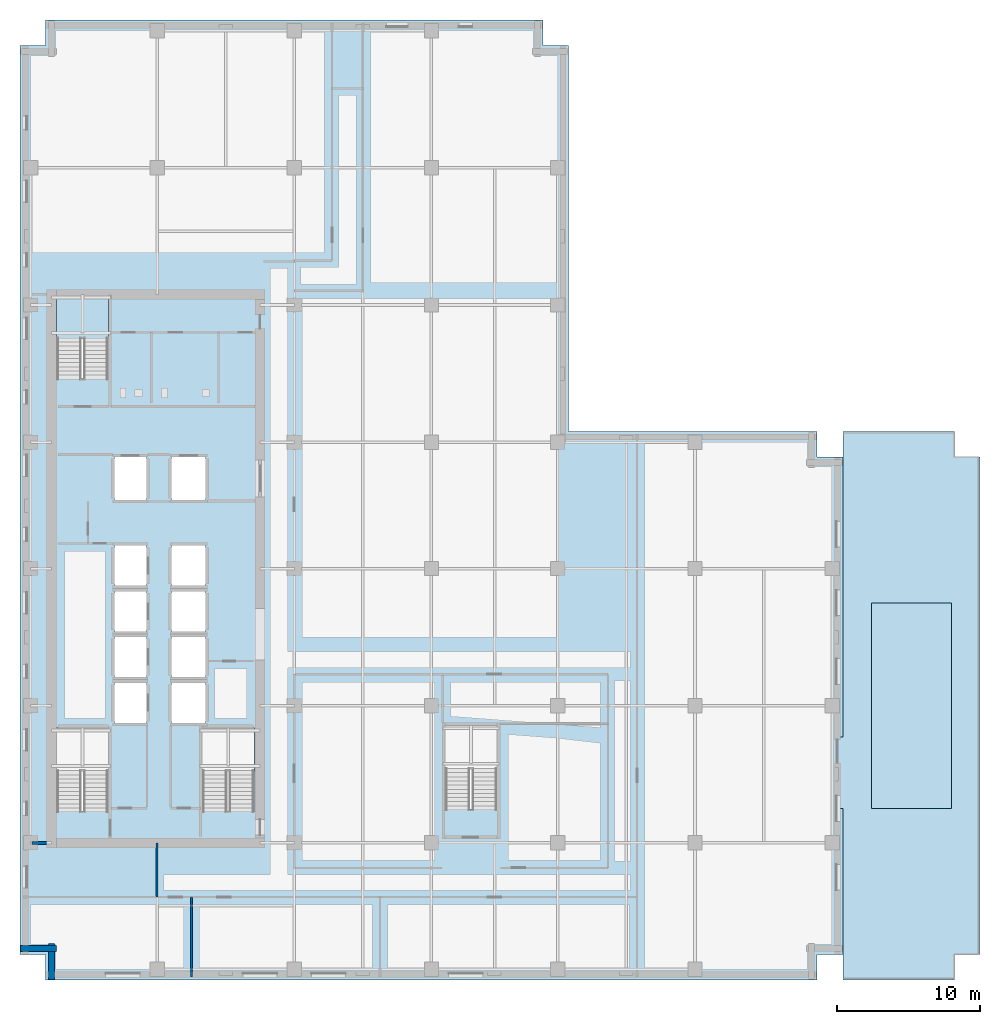
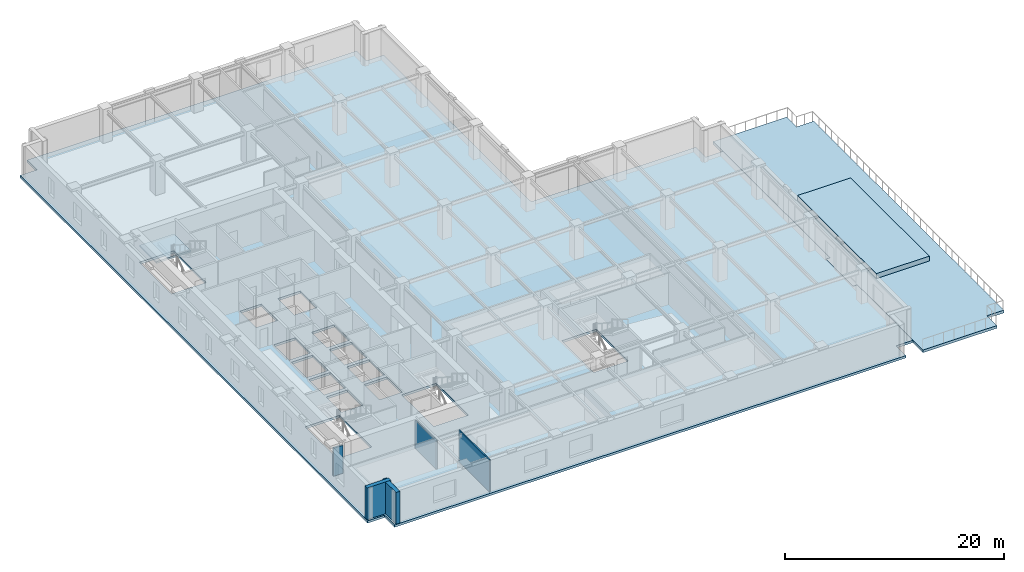
# One storey, part 3 of 12: 5 walls, 4 slabs, 1 element without a shape of its own.
"""IFC4 building model written with IfcOpenShell, lengths in metres."""

from ifc_helpers import new_model, si_unit, direction, frame, frame_2d, origin, place, context, subcontext, project, spatial, polyline, rectangle, outline, extrude, material, layer, layer_set, type_object, element, aggregate, save


model = new_model("IFC4")

# Units and contexts
model_context = context("Model", 3, precision=1e-05, world=origin(), true_north=direction((0.0, 1.0)))
body_context = subcontext(model_context, "Body", "Model", "MODEL_VIEW")
ifc_project = project(units=[si_unit("LENGTHUNIT", "METRE"), si_unit("AREAUNIT", "SQUARE_METRE"), si_unit("VOLUMEUNIT", "CUBIC_METRE"), si_unit("PLANEANGLEUNIT", "RADIAN"), si_unit("MASSUNIT", "GRAM", prefix="KILO")], contexts=[model_context])

# Site, building, storey
site_placement = place(None, origin())
site = spatial("IfcSite", under=ifc_project, at=site_placement, CompositionType="ELEMENT")
building_placement = place(site_placement, origin())
building = spatial("IfcBuilding", under=site, at=building_placement, Name="Norrvale University Quadrangle", CompositionType="ELEMENT")
storey_placement = place(building_placement, frame((0.0, 0.0, 101.39990234375)))
storey = spatial("IfcBuildingStorey", under=building, at=storey_placement, Name="L25", CompositionType="ELEMENT", Elevation=101.39990234375)

# Stair, slab
ifc_material_1 = material(Name="Concrete C40/50", Category="concrete")
stair_type = type_object("IfcStairType", Name="Stair Tower Typ 3800", PredefinedType="TWO_STRAIGHT_RUN_STAIR", material=ifc_material_1)
stair_placement = place(storey_placement, origin())
stair = element("IfcStair", 1, at=stair_placement, inside=storey, type_object=stair_type, Name="Exit Stair ST-02 L25", PredefinedType="TWO_STRAIGHT_RUN_STAIR")
ifc_layer_1 = layer(ifc_material_1, 0.199951171875, Name="Concrete C40/50")
ifc_layer_set_1 = layer_set([ifc_layer_1], Name="Concrete C40/50")
slab_type_1 = type_object("IfcSlabType", Name="Slab Landing 200", PredefinedType="LANDING", material=ifc_layer_set_1)
slab_1_placement = place(storey_placement, frame((0.0, 0.0, 1.7001953125)))
slab_1 = element("IfcSlab", 2, at=slab_1_placement, type_object=slab_type_1, Name="Exit Stair ST-02 L25 Mid Landing", PredefinedType="LANDING", context=body_context, shape_type="SweptSolid", body=[
    extrude(outline(polyline([(2.550048828125, 44.889892578125), (6.199951171875, 44.889892578125), (6.199951171875, 47.949951171875), (2.550048828125, 47.949951171875), (2.550048828125, 44.889892578125)])), origin(), (0.0, 0.0, 1.0), 0.199951171875),
])
aggregate(stair, [slab_1])

# Slabs
ifc_material_2 = material(Name="Planted Soil Growing Medium")
ifc_layer_2 = layer(ifc_material_2, 0.570068359375, Name="Planted Soil Growing Medium")
ifc_layer_set_2 = layer_set([ifc_layer_2], Name="Planted Soil Growing Medium")
slab_type_2 = type_object("IfcSlabType", Name="Slab Planter Soil 550", PredefinedType="USERDEFINED", material=ifc_layer_set_2)
slab_2_placement = place(storey_placement, frame((0.0, 0.0, -0.02001953125)))
element("IfcSlab", 3, at=slab_2_placement, inside=storey, type_object=slab_type_2, Name="Terrace Planted Soil Bed L25-E", ObjectType="PLANTER", PredefinedType="USERDEFINED", context=body_context, shape_type="SweptSolid", body=[
    extrude(outline(polyline([(59.60009765625, 12.0), (65.199951171875, 12.0), (65.199951171875, 26.39990234375), (59.60009765625, 26.39990234375), (59.60009765625, 12.0)])), origin(), (0.0, 0.0, 1.0), 0.570068359375),
])
ifc_material_3 = material(Name="Concrete C50/60", Category="concrete")
ifc_layer_3 = layer(ifc_material_3, 0.300048828125, Name="Concrete C50/60")
ifc_layer_set_3 = layer_set([ifc_layer_3], Name="Concrete C50/60")
slab_type_3 = type_object("IfcSlabType", Name="Slab Sky Garden 300", PredefinedType="ROOF", material=ifc_layer_set_3)
slab_3_placement = place(storey_placement, frame((0.0, 0.0, -0.2998046875)))
element("IfcSlab", 4, at=slab_3_placement, inside=storey, type_object=slab_type_3, Name="Stepped Roof Terrace Slab L25-E", PredefinedType="ROOF", context=body_context, shape_type="SweptSolid", body=[
    extrude(outline(polyline([(57.60009765625, 1.800048828125), (57.60009765625, 0.0), (65.39990234375, 0.0), (65.39990234375, 1.800048828125), (67.199951171875, 1.800048828125), (67.199951171875, 36.60009765625), (65.39990234375, 36.60009765625), (65.39990234375, 38.39990234375), (57.60009765625, 38.39990234375), (57.60009765625, 17.0), (57.14990234375, 17.0), (57.14990234375, 12.0), (57.60009765625, 12.0), (57.60009765625, 1.800048828125)])), origin(), (0.0, 0.0, 1.0), 0.2998046875),
])
ifc_layer_4 = layer(ifc_material_1, 0.260009765625, Name="Concrete C40/50")
ifc_layer_set_4 = layer_set([ifc_layer_4], Name="Concrete C40/50")
slab_type_4 = type_object("IfcSlabType", Name="Slab Tower Typ 260", PredefinedType="FLOOR", material=ifc_layer_set_4)
slab_4_placement = place(storey_placement, frame((0.0, 0.0, -0.260009765625)))
element("IfcSlab", 5, at=slab_4_placement, inside=storey, type_object=slab_type_4, Name="Tower L25 Floor Slab", PredefinedType="FLOOR", context=body_context, shape_type="SweptSolid", body=[
    extrude(outline(polyline([(57.60009765625, 1.800048828125), (55.800048828125, 1.800048828125), (55.800048828125, 0.0), (1.800048828125, 0.0), (1.800048828125, 1.800048828125), (0.0, 1.800048828125), (0.0, 65.39990234375), (1.800048828125, 65.39990234375), (1.800048828125, 67.199951171875), (36.60009765625, 67.199951171875), (36.60009765625, 65.39990234375), (38.39990234375, 65.39990234375), (38.39990234375, 38.39990234375), (55.800048828125, 38.39990234375), (55.800048828125, 36.60009765625), (57.60009765625, 36.60009765625), (57.60009765625, 17.0), (57.14990234375, 17.0), (57.14990234375, 12.0), (57.60009765625, 12.0), (57.60009765625, 1.800048828125)]), holes=[polyline([(2.550048828125, 11.81005859375), (6.199951171875, 11.81005859375), (6.199951171875, 17.64990234375), (2.550048828125, 17.64990234375), (2.550048828125, 11.81005859375)]), polyline([(2.550048828125, 42.110107421875), (6.199951171875, 42.110107421875), (6.199951171875, 47.949951171875), (2.550048828125, 47.949951171875), (2.550048828125, 42.110107421875)]), polyline([(12.75, 11.81005859375), (16.39990234375, 11.81005859375), (16.39990234375, 17.64990234375), (12.75, 17.64990234375), (12.75, 11.81005859375)]), polyline([(29.75, 11.9599609375), (33.39990234375, 11.9599609375), (33.39990234375, 17.800048828125), (29.75, 17.800048828125), (29.75, 11.9599609375)]), polyline([(6.60009765625, 18.0), (8.85009765625, 18.0), (8.85009765625, 20.800048828125), (6.60009765625, 20.800048828125), (6.60009765625, 18.0)]), polyline([(6.60009765625, 21.199951171875), (8.85009765625, 21.199951171875), (8.85009765625, 24.0), (6.60009765625, 24.0), (6.60009765625, 21.199951171875)]), polyline([(6.60009765625, 24.39990234375), (8.85009765625, 24.39990234375), (8.85009765625, 27.199951171875), (6.60009765625, 27.199951171875), (6.60009765625, 24.39990234375)]), polyline([(6.60009765625, 27.60009765625), (8.85009765625, 27.60009765625), (8.85009765625, 30.39990234375), (6.60009765625, 30.39990234375), (6.60009765625, 27.60009765625)]), polyline([(10.60009765625, 18.0), (13.0, 18.0), (13.0, 20.800048828125), (10.60009765625, 20.800048828125), (10.60009765625, 18.0)]), polyline([(10.60009765625, 21.199951171875), (13.0, 21.199951171875), (13.0, 24.0), (10.60009765625, 24.0), (10.60009765625, 21.199951171875)]), polyline([(10.60009765625, 24.39990234375), (13.0, 24.39990234375), (13.0, 27.199951171875), (10.60009765625, 27.199951171875), (10.60009765625, 24.39990234375)]), polyline([(10.60009765625, 27.60009765625), (13.0, 27.60009765625), (13.0, 30.39990234375), (10.60009765625, 30.39990234375), (10.60009765625, 27.60009765625)]), polyline([(6.60009765625, 33.60009765625), (8.85009765625, 33.60009765625), (8.85009765625, 36.60009765625), (6.60009765625, 36.60009765625), (6.60009765625, 33.60009765625)]), polyline([(10.60009765625, 33.60009765625), (13.0, 33.60009765625), (13.0, 36.60009765625), (10.60009765625, 36.60009765625), (10.60009765625, 33.60009765625)])]), origin(), (0.0, 0.0, 1.0), 0.260009765625),
])

# Walls
ifc_material_4 = material(Name="Buff Norman Clay Brick Masonry", Category="masonry")
ifc_layer_5 = layer(ifc_material_4, 0.419921875, Name="Buff Norman Clay Brick Masonry")
ifc_layer_set_5 = layer_set([ifc_layer_5], Name="Buff Norman Clay Brick Masonry")
wall_type_1 = type_object("IfcWallType", Name="Wall Buff Brick 420", PredefinedType="SOLIDWALL", material=ifc_layer_set_5)
for number, where, z_axis, x_axis, name in (
    (6, (0.0400390625, 2.18994140625, 0.0), (0.0, 0.0, 1.0), (1.0, 0.0, 0.0), "Exterior Brick Facade Wall L25-15.1"),
    (7, (2.18994140625, 2.5400390625, 0.0), (0.0, 0.0, 1.0), (0.0, -1.0, 0.0), "Exterior Brick Facade Wall L25-16.1"),
):
    element("IfcWall", number, at=place(storey_placement, frame(where, z_axis=z_axis, x_axis=x_axis)), inside=storey, type_object=wall_type_1, Name=name, PredefinedType="SOLIDWALL", context=body_context, shape_type="SweptSolid", body=[
        extrude(rectangle(XDim=2.5, YDim=0.419921875, at=frame_2d((1.25, 0.0))), origin(), (0.0, 0.0, 1.0), 3.5400390625),
    ])
ifc_material_5 = material(Name="Standard Academic Gypsum Partition")
ifc_layer_6 = layer(ifc_material_5, 0.125, Name="Standard Academic Gypsum Partition")
ifc_layer_set_6 = layer_set([ifc_layer_6], Name="Standard Academic Gypsum Partition")
wall_type_2 = type_object("IfcWallType", Name="Wall Gypsum Academic 125", PredefinedType="PARTITIONING", material=ifc_layer_set_6)
wall_1_placement = place(storey_placement, frame((12.0, 0.219970703125, 0.0), z_axis=(0.0, 0.0, 1.0), x_axis=(0.0, 1.0, 0.0)))
element("IfcWall", 8, at=wall_1_placement, inside=storey, type_object=wall_type_2, Name="Interior Partition WL-L25-SP01", PredefinedType="PARTITIONING", context=body_context, shape_type="SweptSolid", body=[
    extrude(rectangle(XDim=5.580078125, YDim=0.125, at=frame_2d((2.7900390625, 0.0))), origin(), (0.0, 0.0, 1.0), 3.5400390625),
])
ifc_material_6 = material(Name="Fire-Rated Gypsum Stud Partition")
ifc_layer_7 = layer(ifc_material_6, 0.14990234375, Name="Fire-Rated Gypsum Stud Partition")
ifc_layer_set_7 = layer_set([ifc_layer_7], Name="Fire-Rated Gypsum Stud Partition")
wall_type_3 = type_object("IfcWallType", Name="Wall Gypsum Corridor 150", PredefinedType="PARTITIONING", material=ifc_layer_set_7)
wall_2_placement = place(storey_placement, frame((9.60009765625, 5.800048828125, 0.0), z_axis=(0.0, 0.0, 1.0), x_axis=(0.0, 1.0, 0.0)))
element("IfcWall", 9, at=wall_2_placement, inside=storey, type_object=wall_type_3, Name="Interior Partition WL-L25-CSW-END", PredefinedType="PARTITIONING", context=body_context, shape_type="SweptSolid", body=[
    extrude(rectangle(XDim=3.800048828125, YDim=0.14990234375, at=frame_2d((1.89990234375, 0.0))), origin(), (0.0, 0.0, 1.0), 3.123046875),
])
ifc_material_7 = material(Name="Concrete Blockwork 20 MPa Rated Wall", Category="masonry")
ifc_layer_8 = layer(ifc_material_7, 0.199951171875, Name="Concrete Blockwork 20 MPa Rated Wall")
ifc_layer_set_8 = layer_set([ifc_layer_8], Name="Concrete Blockwork 20 MPa Rated Wall")
wall_type_4 = type_object("IfcWallType", Name="Wall Lobby 200", PredefinedType="SOLIDWALL", material=ifc_layer_set_8)
wall_3_placement = place(storey_placement, frame((0.85009765625, 9.60009765625, 0.0), z_axis=(0.0, 0.0, 1.0), x_axis=(1.0, 0.0, 0.0)))
element("IfcWall", 10, at=wall_3_placement, inside=storey, type_object=wall_type_4, Name="Interior Partition WL-L25-CWRET-S", PredefinedType="SOLIDWALL", context=body_context, shape_type="SweptSolid", body=[
    extrude(rectangle(XDim=0.994873046875, YDim=0.199951171875, at=frame_2d((0.49755859375, 0.0))), origin(), (0.0, 0.0, 1.0), 3.123046875),
])

save(model, "model.ifc")
